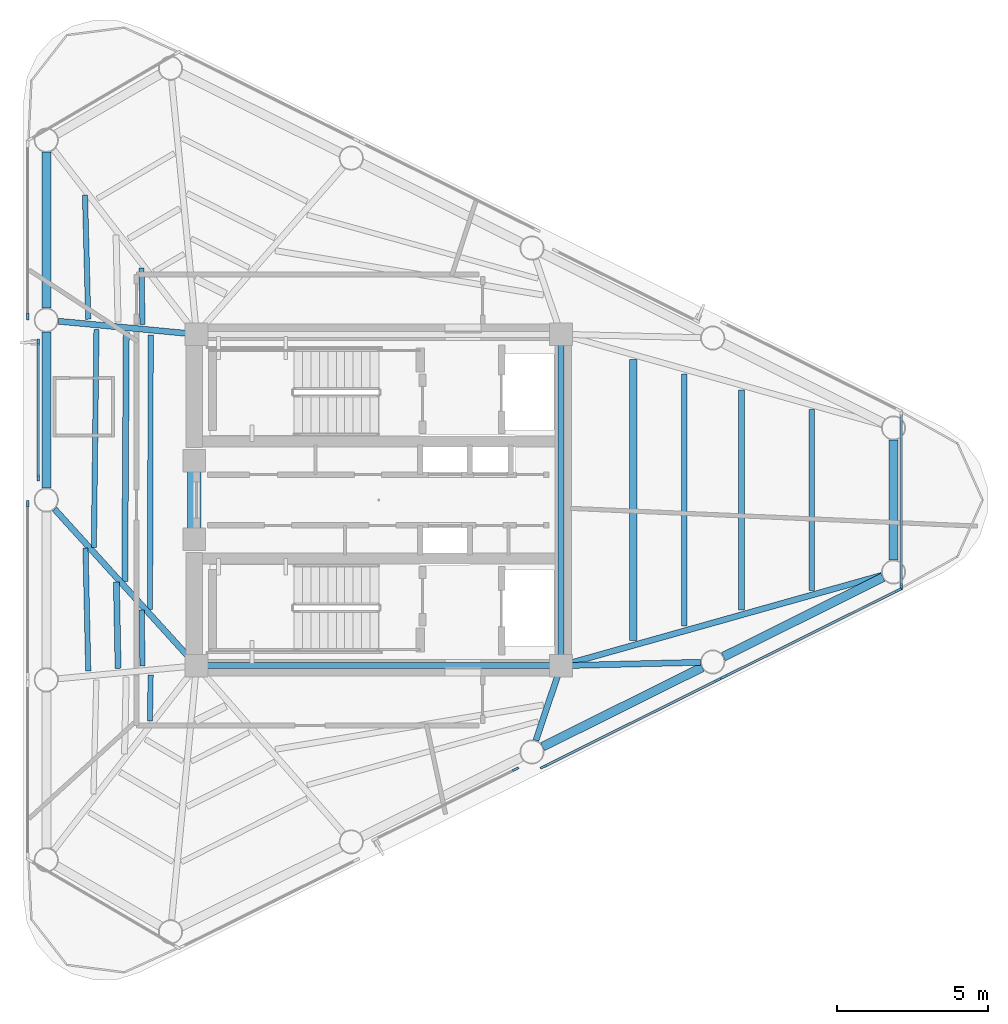
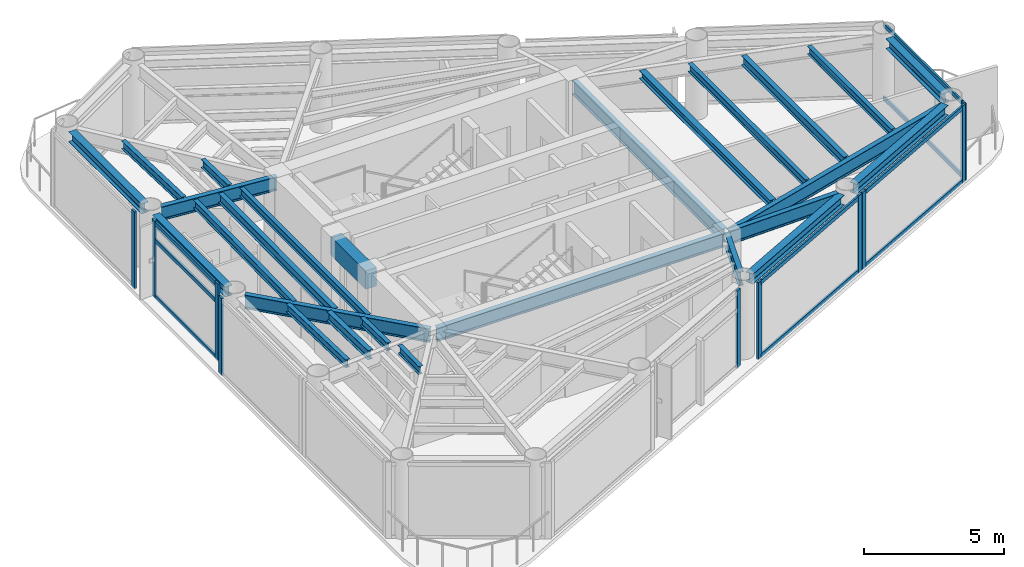
# One storey, part 2 of 10: 26 beams, 19 members, 7 elements without a shape of their own.
"""IFC4 building model written with IfcOpenShell, lengths in metres."""

from ifc_helpers import new_model, si_unit, direction, frame, origin, origin_2d, place, context, subcontext, project, spatial, rectangle, i_section, extrude, source, transform, mapped, material, layer, layer_set, material_profile, profile_set, type_object, element, aggregate, save


model = new_model("IFC4")

# Units and contexts
model_context = context("Model", 3, precision=1e-05, world=origin(), true_north=direction((0.0, 1.0)))
body_context = subcontext(model_context, "Body", "Model", "MODEL_VIEW")
ifc_project = project(units=[si_unit("LENGTHUNIT", "METRE"), si_unit("AREAUNIT", "SQUARE_METRE"), si_unit("VOLUMEUNIT", "CUBIC_METRE"), si_unit("PLANEANGLEUNIT", "RADIAN"), si_unit("MASSUNIT", "GRAM", prefix="KILO")], contexts=[model_context])

# Site, building, storey
site_placement = place(None, origin())
site = spatial("IfcSite", under=ifc_project, at=site_placement, CompositionType="ELEMENT")
building_placement = place(site_placement, origin())
building = spatial("IfcBuilding", under=site, at=building_placement, Name="Yunling Apex Tower", CompositionType="ELEMENT")
storey_placement = place(building_placement, frame((0.0, 0.0, 296.75)))
storey = spatial("IfcBuildingStorey", under=building, at=storey_placement, Name="L72", CompositionType="ELEMENT", Elevation=296.75)

# Beams
ifc_material_1 = material(Name="Concrete C40", Category="concrete")
ifc_material_profile_1 = material_profile(ifc_material_1, rectangle(XDim=0.449951171875, YDim=0.800048828125, at=origin_2d()))
ifc_profile_set_1 = profile_set([ifc_material_profile_1], Name="Concrete C40")
beam_type_1 = type_object("IfcBeamType", Name="BC-CPL-3", PredefinedType="BEAM", material=ifc_profile_set_1)
shared_shape_1 = source(origin(), body_context, "Body", "SweptSolid", [
    extrude(rectangle(XDim=0.449951171875, YDim=0.800048828125, at=origin_2d()), origin(), (0.0, 0.0, 1.0), 2.5),
])
beam_1_placement = place(storey_placement, frame((-6.125, -1.25, 2.8701171875), z_axis=(0.0, 1.0, 0.0), x_axis=(-1.0, 0.0, 0.0)))
element("IfcBeam", 1, at=beam_1_placement, inside=storey, type_object=beam_type_1, Name="L72 Core West Portal Coupling Beam", PredefinedType="BEAM", context=body_context, shape_type="MappedRepresentation", body=[
    mapped(shared_shape_1, transform((0.0, 0.0, 0.0), scale=1.0)),
])
ifc_material_2 = material(Name="Steel Q355B", Category="steel")
ifc_material_profile_2 = material_profile(ifc_material_2, i_section(OverallWidth=0.199951171875, OverallDepth=0.60009765625, WebThickness=0.010986328125, FlangeThickness=0.01708984375, FilletRadius=0.02197265625, at=origin_2d()))
ifc_profile_set_2 = profile_set([ifc_material_profile_2], Name="Steel Q355B")
beam_type_2 = type_object("IfcBeamType", Name="BG-PRI-5", PredefinedType="USERDEFINED", material=ifc_profile_set_2)
shared_shape_2 = source(origin(), body_context, "Body", "SweptSolid", [
    extrude(i_section(OverallWidth=0.199951171875, OverallDepth=0.60009765625, WebThickness=0.010986328125, FlangeThickness=0.01708984375, FilletRadius=0.02197265625, at=origin_2d()), origin(), (0.0, 0.0, 1.0), 11.7998046875),
])
beam_2_placement = place(storey_placement, frame((-5.89990234375, -5.5, 2.969970703125), z_axis=(1.0, 0.0, 0.0), x_axis=(0.0, 1.0, 0.0)))
element("IfcBeam", 2, at=beam_2_placement, inside=storey, type_object=beam_type_2, Name="L72 Core Ring Tie Beam 1", ObjectType="GIRDER", PredefinedType="USERDEFINED", context=body_context, shape_type="MappedRepresentation", body=[
    mapped(shared_shape_2, transform((0.0, 0.0, 0.0), scale=1.0)),
])
shared_shape_3 = source(origin(), body_context, "Body", "SweptSolid", [
    extrude(i_section(OverallWidth=0.199951171875, OverallDepth=0.60009765625, WebThickness=0.010986328125, FlangeThickness=0.01708984375, FilletRadius=0.02197265625, at=origin_2d()), origin(), (0.0, 0.0, 1.0), 10.7001953125),
])
beam_3_placement = place(storey_placement, frame((6.050048828125, -5.35009765625, 2.969970703125), z_axis=(0.0, 1.0, 0.0), x_axis=(-1.0, 0.0, 0.0)))
element("IfcBeam", 3, at=beam_3_placement, inside=storey, type_object=beam_type_2, Name="L72 Core Ring Tie Beam 2", ObjectType="GIRDER", PredefinedType="USERDEFINED", context=body_context, shape_type="MappedRepresentation", body=[
    mapped(shared_shape_3, transform((0.0, 0.0, 0.0), scale=1.0)),
])
ifc_material_profile_3 = material_profile(ifc_material_2, i_section(OverallWidth=0.300048828125, OverallDepth=0.43994140625, WebThickness=0.010986328125, FlangeThickness=0.01806640625, FilletRadius=0.02197265625, at=origin_2d()))
ifc_profile_set_3 = profile_set([ifc_material_profile_3], Name="Steel Q355B")
beam_type_3 = type_object("IfcBeamType", Name="BP-SPN-3", PredefinedType="SPANDREL", material=ifc_profile_set_3)
shared_shape_4 = source(origin(), body_context, "Body", "SweptSolid", [
    extrude(i_section(OverallWidth=0.300048828125, OverallDepth=0.43994140625, WebThickness=0.010986328125, FlangeThickness=0.01806640625, FilletRadius=0.02197265625, at=origin_2d()), origin(), (0.0, 0.0, 1.0), 5.9140625),
])
for number, where, z_axis, x_axis, name in (
    (4, (5.43896484375, -8.1884765625, 3.050048828125), (0.895259510924, 0.445545068539, 0.0), (-0.445545068539, 0.895259510924, 0.0), "L72 Perimeter Spandrel Beam 3"),
    (5, (11.439208984375, -5.2021484375, 3.050048828125), (0.895259510924, 0.445545068539, 0.0), (-0.445545068539, 0.895259510924, 0.0), "L72 Perimeter Spandrel Beam 4"),
):
    element("IfcBeam", number, at=place(storey_placement, frame(where, z_axis=z_axis, x_axis=x_axis)), inside=storey, type_object=beam_type_3, Name=name, PredefinedType="SPANDREL", context=body_context, shape_type="MappedRepresentation", body=[
        mapped(shared_shape_4, transform((0.0, 0.0, 0.0), scale=1.0)),
    ])
shared_shape_5 = source(origin(), body_context, "Body", "SweptSolid", [
    extrude(i_section(OverallWidth=0.300048828125, OverallDepth=0.43994140625, WebThickness=0.010986328125, FlangeThickness=0.01806640625, FilletRadius=0.02197265625, at=origin_2d()), origin(), (0.0, 0.0, 1.0), 3.9951171875),
])
beam_4_placement = place(storey_placement, frame((17.086669921875, -1.99755859375, 3.050048828125), z_axis=(0.0, 1.0, 0.0), x_axis=(-1.0, 0.0, 0.0)))
element("IfcBeam", 6, at=beam_4_placement, inside=storey, type_object=beam_type_3, Name="L72 Perimeter Spandrel Beam 5", PredefinedType="SPANDREL", context=body_context, shape_type="MappedRepresentation", body=[
    mapped(shared_shape_5, transform((0.0, 0.0, 0.0), scale=1.0)),
])
shared_shape_6 = source(origin(), body_context, "Body", "SweptSolid", [
    extrude(i_section(OverallWidth=0.300048828125, OverallDepth=0.43994140625, WebThickness=0.010986328125, FlangeThickness=0.01806640625, FilletRadius=0.02197265625, at=origin_2d()), origin(), (0.0, 0.0, 1.0), 5.1845703125),
])
for number, where, z_axis, x_axis, name in (
    (7, (-11.037353515625, 11.55126953125, 3.050048828125), (0.0, -1.0, 0.0), (1.0, 0.0, 0.0), "L72 Perimeter Spandrel Beam 11"),
    (8, (-11.037353515625, 5.57861328125, 3.050048828125), (0.0, -1.0, 0.0), (1.0, 0.0, 0.0), "L72 Perimeter Spandrel Beam 12"),
):
    element("IfcBeam", number, at=place(storey_placement, frame(where, z_axis=z_axis, x_axis=x_axis)), inside=storey, type_object=beam_type_3, Name=name, PredefinedType="SPANDREL", context=body_context, shape_type="MappedRepresentation", body=[
        mapped(shared_shape_6, transform((0.0, 0.0, 0.0), scale=1.0)),
    ])
shared_shape_7 = source(origin(), body_context, "Body", "SweptSolid", [
    extrude(i_section(OverallWidth=0.199951171875, OverallDepth=0.60009765625, WebThickness=0.010986328125, FlangeThickness=0.01708984375, FilletRadius=0.02197265625, at=origin_2d()), origin(), (0.0, 0.0, 1.0), 2.533935546875),
])
beam_5_placement = place(storey_placement, frame((5.21630859375, -7.977294921875, 2.969970703125), z_axis=(0.318914628896, 0.947783445454, 0.0), x_axis=(-0.947783445454, 0.318914628896, 0.0)))
element("IfcBeam", 9, at=beam_5_placement, inside=storey, type_object=beam_type_2, Name="L72 Radial Primary Girder R03", ObjectType="GIRDER", PredefinedType="USERDEFINED", context=body_context, shape_type="MappedRepresentation", body=[
    mapped(shared_shape_7, transform((0.0, 0.0, 0.0), scale=1.0)),
])
shared_shape_8 = source(origin(), body_context, "Body", "SweptSolid", [
    extrude(i_section(OverallWidth=0.199951171875, OverallDepth=0.60009765625, WebThickness=0.010986328125, FlangeThickness=0.01708984375, FilletRadius=0.02197265625, at=origin_2d()), origin(), (0.0, 0.0, 1.0), 4.5498046875),
])
beam_6_placement = place(storey_placement, frame((10.678466796875, -5.3876953125, 2.969970703125), z_axis=(-0.999705840498, -0.024253504369, 0.0), x_axis=(0.024253504369, -0.999705840498, 0.0)))
element("IfcBeam", 10, at=beam_6_placement, inside=storey, type_object=beam_type_2, Name="L72 Radial Primary Girder R04", ObjectType="GIRDER", PredefinedType="USERDEFINED", context=body_context, shape_type="MappedRepresentation", body=[
    mapped(shared_shape_8, transform((0.0, 0.0, 0.0), scale=1.0)),
])
shared_shape_9 = source(origin(), body_context, "Body", "SweptSolid", [
    extrude(i_section(OverallWidth=0.199951171875, OverallDepth=0.60009765625, WebThickness=0.010986328125, FlangeThickness=0.01708984375, FilletRadius=0.02197265625, at=origin_2d()), origin(), (0.0, 0.0, 1.0), 10.97802734375),
])
beam_7_placement = place(storey_placement, frame((16.69384765625, -2.502197265625, 2.969970703125), z_axis=(-0.962552702816, -0.271094622414, 0.0), x_axis=(0.271094622414, -0.962552702816, 0.0)))
element("IfcBeam", 11, at=beam_7_placement, inside=storey, type_object=beam_type_2, Name="L72 Radial Primary Girder R05", ObjectType="GIRDER", PredefinedType="USERDEFINED", context=body_context, shape_type="MappedRepresentation", body=[
    mapped(shared_shape_9, transform((0.0, 0.0, 0.0), scale=1.0)),
])
shared_shape_10 = source(origin(), body_context, "Body", "SweptSolid", [
    extrude(i_section(OverallWidth=0.199951171875, OverallDepth=0.60009765625, WebThickness=0.010986328125, FlangeThickness=0.01708984375, FilletRadius=0.02197265625, at=origin_2d()), origin(), (0.0, 0.0, 1.0), 4.521728515625),
])
beam_8_placement = place(storey_placement, frame((-10.631103515625, 5.93408203125, 2.969970703125), z_axis=(0.99554122067, -0.094327503661, 0.0), x_axis=(0.094327503661, 0.99554122067, 0.0)))
element("IfcBeam", 12, at=beam_8_placement, inside=storey, type_object=beam_type_2, Name="L72 Radial Primary Girder R12", ObjectType="GIRDER", PredefinedType="USERDEFINED", context=body_context, shape_type="MappedRepresentation", body=[
    mapped(shared_shape_10, transform((0.0, 0.0, 0.0), scale=1.0)),
])
shared_shape_11 = source(origin(), body_context, "Body", "SweptSolid", [
    extrude(i_section(OverallWidth=0.199951171875, OverallDepth=0.60009765625, WebThickness=0.010986328125, FlangeThickness=0.01708984375, FilletRadius=0.02197265625, at=origin_2d()), origin(), (0.0, 0.0, 1.0), 6.9365234375),
])
beam_9_placement = place(storey_placement, frame((-10.76318359375, -0.30224609375, 2.969970703125), z_axis=(0.671734994532, -0.740791534185, 0.0), x_axis=(0.740791534185, 0.671734994532, 0.0)))
element("IfcBeam", 13, at=beam_9_placement, inside=storey, type_object=beam_type_2, Name="L72 Radial Primary Girder R13", ObjectType="GIRDER", PredefinedType="USERDEFINED", context=body_context, shape_type="MappedRepresentation", body=[
    mapped(shared_shape_11, transform((0.0, 0.0, 0.0), scale=1.0)),
])
ifc_material_profile_4 = material_profile(ifc_material_2, i_section(OverallWidth=0.199951171875, OverallDepth=0.39990234375, WebThickness=0.008056640625, FlangeThickness=0.012939453125, FilletRadius=0.01611328125, at=origin_2d()))
ifc_profile_set_4 = profile_set([ifc_material_profile_4], Name="Steel Q355B")
beam_type_4 = type_object("IfcBeamType", Name="BS-SEC-4", PredefinedType="BEAM", material=ifc_profile_set_4)
shared_shape_12 = source(origin(), body_context, "Body", "SweptSolid", [
    extrude(i_section(OverallWidth=0.199951171875, OverallDepth=0.39990234375, WebThickness=0.008056640625, FlangeThickness=0.012939453125, FilletRadius=0.01611328125, at=origin_2d()), origin(), (0.0, 0.0, 1.0), 7.30322265625),
])
beam_10_placement = place(storey_placement, frame((12.04443359375, -3.651611328125, 3.070068359375), z_axis=(0.0, 1.0, 0.0), x_axis=(-1.0, 0.0, 0.0)))
element("IfcBeam", 14, at=beam_10_placement, inside=storey, type_object=beam_type_4, Name="L72 Composite Floor Beam BS-5", PredefinedType="BEAM", context=body_context, shape_type="MappedRepresentation", body=[
    mapped(shared_shape_12, transform((0.0, 0.0, 0.0), scale=1.0)),
])
ifc_material_profile_5 = material_profile(ifc_material_2, i_section(OverallWidth=0.175048828125, OverallDepth=0.35009765625, WebThickness=0.007080078125, FlangeThickness=0.010986328125, FilletRadius=0.013916015625, at=origin_2d()))
ifc_profile_set_5 = profile_set([ifc_material_profile_5], Name="Steel Q355B")
beam_type_5 = type_object("IfcBeamType", Name="BJ-JST-1", PredefinedType="JOIST", material=ifc_profile_set_5)
shared_shape_13 = source(origin(), body_context, "Body", "SweptSolid", [
    extrude(i_section(OverallWidth=0.175048828125, OverallDepth=0.35009765625, WebThickness=0.007080078125, FlangeThickness=0.010986328125, FilletRadius=0.013916015625, at=origin_2d()), origin(), (0.0, 0.0, 1.0), 5.99365234375),
])
beam_11_placement = place(storey_placement, frame((14.369140625, -2.996826171875, 3.094970703125), z_axis=(0.0, 1.0, 0.0), x_axis=(-1.0, 0.0, 0.0)))
element("IfcBeam", 15, at=beam_11_placement, inside=storey, type_object=beam_type_5, Name="L72 Composite Floor Joist BJ1-5", PredefinedType="JOIST", context=body_context, shape_type="MappedRepresentation", body=[
    mapped(shared_shape_13, transform((0.0, 0.0, 0.0), scale=1.0)),
])
shared_shape_14 = source(origin(), body_context, "Body", "SweptSolid", [
    extrude(i_section(OverallWidth=0.175048828125, OverallDepth=0.35009765625, WebThickness=0.007080078125, FlangeThickness=0.010986328125, FilletRadius=0.013916015625, at=origin_2d()), origin(), (0.0, 0.0, 1.0), 8.37451171875),
])
beam_12_placement = place(storey_placement, frame((10.142333984375, -4.187255859375, 3.094970703125), z_axis=(0.0, 1.0, 0.0), x_axis=(-1.0, 0.0, 0.0)))
element("IfcBeam", 16, at=beam_12_placement, inside=storey, type_object=beam_type_5, Name="L72 Composite Floor Joist BJ3-5", PredefinedType="JOIST", context=body_context, shape_type="MappedRepresentation", body=[
    mapped(shared_shape_14, transform((0.0, 0.0, 0.0), scale=1.0)),
])
ifc_material_profile_6 = material_profile(ifc_material_2, i_section(OverallWidth=0.25, OverallDepth=0.340087890625, WebThickness=0.009033203125, FlangeThickness=0.013916015625, FilletRadius=0.01806640625, at=origin_2d()))
ifc_profile_set_6 = profile_set([ifc_material_profile_6], Name="Steel Q355B")
beam_type_6 = type_object("IfcBeamType", Name="BJ-JST-2", PredefinedType="JOIST", material=ifc_profile_set_6)
shared_shape_15 = source(origin(), body_context, "Body", "SweptSolid", [
    extrude(i_section(OverallWidth=0.25, OverallDepth=0.340087890625, WebThickness=0.009033203125, FlangeThickness=0.013916015625, FilletRadius=0.01806640625, at=origin_2d()), origin(), (0.0, 0.0, 1.0), 9.3271484375),
])
beam_13_placement = place(storey_placement, frame((8.45166015625, -4.66357421875, 3.10009765625), z_axis=(0.0, 1.0, 0.0), x_axis=(-1.0, 0.0, 0.0)))
element("IfcBeam", 17, at=beam_13_placement, inside=storey, type_object=beam_type_6, Name="L72 Composite Floor Joist BJ2-5", PredefinedType="JOIST", context=body_context, shape_type="MappedRepresentation", body=[
    mapped(shared_shape_15, transform((0.0, 0.0, 0.0), scale=1.0)),
])
shared_shape_16 = source(origin(), body_context, "Body", "SweptSolid", [
    extrude(i_section(OverallWidth=0.175048828125, OverallDepth=0.35009765625, WebThickness=0.007080078125, FlangeThickness=0.010986328125, FilletRadius=0.013916015625, at=origin_2d()), origin(), (0.0, 0.0, 1.0), 4.130859375),
])
beam_14_placement = place(storey_placement, frame((-9.751953125, 10.129638671875, 3.094970703125), z_axis=(0.025887029391, -0.9996648747, 0.0), x_axis=(0.9996648747, 0.025887029391, 0.0)))
element("IfcBeam", 18, at=beam_14_placement, inside=storey, type_object=beam_type_5, Name="L72 Composite Floor Joist BJ1-11", PredefinedType="JOIST", context=body_context, shape_type="MappedRepresentation", body=[
    mapped(shared_shape_16, transform((0.0, 0.0, 0.0), scale=1.0)),
])
shared_shape_17 = source(origin(), body_context, "Body", "SweptSolid", [
    extrude(i_section(OverallWidth=0.175048828125, OverallDepth=0.35009765625, WebThickness=0.007080078125, FlangeThickness=0.010986328125, FilletRadius=0.013916015625, at=origin_2d()), origin(), (0.0, 0.0, 1.0), 1.87646484375),
])
beam_15_placement = place(storey_placement, frame((-7.877685546875, 7.705810546875, 3.094970703125), z_axis=(0.01847440018, -0.999829333705, 0.0), x_axis=(0.999829333705, 0.01847440018, 0.0)))
element("IfcBeam", 19, at=beam_15_placement, inside=storey, type_object=beam_type_5, Name="L72 Composite Floor Joist BJ3-11", PredefinedType="JOIST", context=body_context, shape_type="MappedRepresentation", body=[
    mapped(shared_shape_17, transform((0.0, 0.0, 0.0), scale=1.0)),
])
shared_shape_18 = source(origin(), body_context, "Body", "SweptSolid", [
    extrude(i_section(OverallWidth=0.199951171875, OverallDepth=0.39990234375, WebThickness=0.008056640625, FlangeThickness=0.012939453125, FilletRadius=0.01611328125, at=origin_2d()), origin(), (0.0, 0.0, 1.0), 8.2724609375),
])
beam_16_placement = place(storey_placement, frame((-8.38134765625, 5.560791015625, 3.070068359375), z_axis=(-0.006197679272, -0.999980794201, 0.0), x_axis=(0.999980794201, -0.006197679272, 0.0)))
element("IfcBeam", 20, at=beam_16_placement, inside=storey, type_object=beam_type_4, Name="L72 Composite Floor Beam BS-12", PredefinedType="BEAM", context=body_context, shape_type="MappedRepresentation", body=[
    mapped(shared_shape_18, transform((0.0, 0.0, 0.0), scale=1.0)),
])
shared_shape_19 = source(origin(), body_context, "Body", "SweptSolid", [
    extrude(i_section(OverallWidth=0.175048828125, OverallDepth=0.35009765625, WebThickness=0.007080078125, FlangeThickness=0.010986328125, FilletRadius=0.013916015625, at=origin_2d()), origin(), (0.0, 0.0, 1.0), 7.236328125),
])
beam_17_placement = place(storey_placement, frame((-9.37255859375, 5.65478515625, 3.094970703125), z_axis=(-0.011639673006, -0.999932256712, 0.0), x_axis=(0.999932256712, -0.011639673006, 0.0)))
element("IfcBeam", 21, at=beam_17_placement, inside=storey, type_object=beam_type_5, Name="L72 Composite Floor Joist BJ1-12", PredefinedType="JOIST", context=body_context, shape_type="MappedRepresentation", body=[
    mapped(shared_shape_19, transform((0.0, 0.0, 0.0), scale=1.0)),
])
shared_shape_20 = source(origin(), body_context, "Body", "SweptSolid", [
    extrude(i_section(OverallWidth=0.175048828125, OverallDepth=0.35009765625, WebThickness=0.007080078125, FlangeThickness=0.010986328125, FilletRadius=0.013916015625, at=origin_2d()), origin(), (0.0, 0.0, 1.0), 9.120361328125),
])
beam_18_placement = place(storey_placement, frame((-7.570556640625, 5.48388671875, 3.094970703125), z_axis=(-0.002596559494, -0.999996628934, 0.0), x_axis=(0.999996628934, -0.002596559494, 0.0)))
element("IfcBeam", 22, at=beam_18_placement, inside=storey, type_object=beam_type_5, Name="L72 Composite Floor Joist BJ3-12", PredefinedType="JOIST", context=body_context, shape_type="MappedRepresentation", body=[
    mapped(shared_shape_20, transform((0.0, 0.0, 0.0), scale=1.0)),
])
shared_shape_21 = source(origin(), body_context, "Body", "SweptSolid", [
    extrude(i_section(OverallWidth=0.199951171875, OverallDepth=0.39990234375, WebThickness=0.008056640625, FlangeThickness=0.012939453125, FilletRadius=0.01611328125, at=origin_2d()), origin(), (0.0, 0.0, 1.0), 2.86376953125),
])
beam_19_placement = place(storey_placement, frame((-8.7099609375, -2.72314453125, 3.070068359375), z_axis=(0.019692633422, -0.999806081292, 0.0), x_axis=(0.999806081292, 0.019692633422, 0.0)))
element("IfcBeam", 23, at=beam_19_placement, inside=storey, type_object=beam_type_4, Name="L72 Composite Floor Beam BS-13", PredefinedType="BEAM", context=body_context, shape_type="MappedRepresentation", body=[
    mapped(shared_shape_21, transform((0.0, 0.0, 0.0), scale=1.0)),
])
shared_shape_22 = source(origin(), body_context, "Body", "SweptSolid", [
    extrude(i_section(OverallWidth=0.175048828125, OverallDepth=0.35009765625, WebThickness=0.007080078125, FlangeThickness=0.010986328125, FilletRadius=0.013916015625, at=origin_2d()), origin(), (0.0, 0.0, 1.0), 4.0888671875),
])
beam_20_placement = place(storey_placement, frame((-9.734619140625, -1.592529296875, 3.094970703125), z_axis=(0.022092074649, -0.999755940336, 0.0), x_axis=(0.999755940336, 0.022092074649, 0.0)))
element("IfcBeam", 24, at=beam_20_placement, inside=storey, type_object=beam_type_5, Name="L72 Composite Floor Joist BJ1-13", PredefinedType="JOIST", context=body_context, shape_type="MappedRepresentation", body=[
    mapped(shared_shape_22, transform((0.0, 0.0, 0.0), scale=1.0)),
])
shared_shape_23 = source(origin(), body_context, "Body", "SweptSolid", [
    extrude(i_section(OverallWidth=0.175048828125, OverallDepth=0.35009765625, WebThickness=0.007080078125, FlangeThickness=0.010986328125, FilletRadius=0.013916015625, at=origin_2d()), origin(), (0.0, 0.0, 1.0), 1.861572265625),
])
beam_21_placement = place(storey_placement, frame((-7.871826171875, -3.648193359375, 3.094970703125), z_axis=(0.015606703404, -0.999878207988, 0.0), x_axis=(0.999878207988, 0.015606703404, 0.0)))
element("IfcBeam", 25, at=beam_21_placement, inside=storey, type_object=beam_type_5, Name="L72 Composite Floor Joist BJ3-13", PredefinedType="JOIST", context=body_context, shape_type="MappedRepresentation", body=[
    mapped(shared_shape_23, transform((0.0, 0.0, 0.0), scale=1.0)),
])
shared_shape_24 = source(origin(), body_context, "Body", "SweptSolid", [
    extrude(i_section(OverallWidth=0.175048828125, OverallDepth=0.35009765625, WebThickness=0.007080078125, FlangeThickness=0.010986328125, FilletRadius=0.013916015625, at=origin_2d()), origin(), (0.0, 0.0, 1.0), 1.53857421875),
])
beam_22_placement = place(storey_placement, frame((-7.572509765625, -5.803955078125, 3.094970703125), z_axis=(-0.015709852828, -0.999876592647, 0.0), x_axis=(0.999876592647, -0.015709852828, 0.0)))
element("IfcBeam", 26, at=beam_22_placement, inside=storey, type_object=beam_type_5, Name="L72 Composite Floor Joist BJ3-14", PredefinedType="JOIST", context=body_context, shape_type="MappedRepresentation", body=[
    mapped(shared_shape_24, transform((0.0, 0.0, 0.0), scale=1.0)),
])

# Curtain wall, members
ifc_material_3 = material(Name="Bronze anodised aluminium", Category="aluminium")
ifc_layer = layer(ifc_material_3, 0.219970703125)
ifc_layer_set = layer_set([ifc_layer], Name="Bronze anodised aluminium")
curtain_wall_type = type_object("IfcCurtainWallType", Name="CW-SYS-4", PredefinedType="NOTDEFINED", material=ifc_layer_set)
curtain_wall_1_placement = place(storey_placement, origin())
curtain_wall_1 = element("IfcCurtainWall", 27, at=curtain_wall_1_placement, inside=storey, type_object=curtain_wall_type, Name="CW-L72-F1-B3", PredefinedType="NOTDEFINED")
ifc_material_profile_7 = material_profile(ifc_material_3, rectangle(XDim=0.080078125, YDim=0.169921875, at=origin_2d()))
ifc_profile_set_7 = profile_set([ifc_material_profile_7], Name="Bronze anodised aluminium")
member_type_1 = type_object("IfcMemberType", Name="CW-TRN-4", PredefinedType="USERDEFINED", material=ifc_profile_set_7)
shared_shape_25 = source(origin(), body_context, "Body", "SweptSolid", [
    extrude(rectangle(XDim=0.080078125, YDim=0.169921875, at=origin_2d()), origin(), (0.0, 0.0, 1.0), 6.39013671875),
])
member_1_placement = place(storey_placement, frame((5.497802734375, -8.8408203125, 0.0400390625), z_axis=(0.895235684646, 0.445592940851, 0.0), x_axis=(-0.445592940851, 0.895235684646, 0.0)))
member_1 = element("IfcMember", 28, at=member_1_placement, type_object=member_type_1, Name="CW-SYS-4 transom 1.1", ObjectType="TRANSOM", PredefinedType="USERDEFINED", context=body_context, shape_type="MappedRepresentation", body=[
    mapped(shared_shape_25, transform((0.0, 0.0, 0.0), scale=1.0)),
])
member_2_placement = place(storey_placement, frame((5.497802734375, -8.8408203125, 3.22998046875), z_axis=(0.895235684646, 0.445592940851, 0.0), x_axis=(-0.445592940851, 0.895235684646, 0.0)))
member_2 = element("IfcMember", 29, at=member_2_placement, type_object=member_type_1, Name="CW-SYS-4 transom 1.2", ObjectType="TRANSOM", PredefinedType="USERDEFINED", context=body_context, shape_type="MappedRepresentation", body=[
    mapped(shared_shape_25, transform((0.0, 0.0, 0.0), scale=1.0)),
])

curtain_wall_2_placement = place(storey_placement, origin())
curtain_wall_2 = element("IfcCurtainWall", 30, at=curtain_wall_2_placement, inside=storey, type_object=curtain_wall_type, Name="CW-L72-F1-B4", PredefinedType="NOTDEFINED")
shared_shape_26 = source(origin(), body_context, "Body", "SweptSolid", [
    extrude(rectangle(XDim=0.080078125, YDim=0.169921875, at=origin_2d()), origin(), (0.0, 0.0, 1.0), 6.390380859375),
])
member_3_placement = place(storey_placement, frame((11.497802734375, -5.854248046875, 0.0400390625), z_axis=(0.895258509594, 0.445547080565, 0.0), x_axis=(-0.445547080565, 0.895258509594, 0.0)))
member_3 = element("IfcMember", 31, at=member_3_placement, type_object=member_type_1, Name="CW-SYS-4 transom 1.1", ObjectType="TRANSOM", PredefinedType="USERDEFINED", context=body_context, shape_type="MappedRepresentation", body=[
    mapped(shared_shape_26, transform((0.0, 0.0, 0.0), scale=1.0)),
])
member_4_placement = place(storey_placement, frame((11.497802734375, -5.854248046875, 3.22998046875), z_axis=(0.895258509594, 0.445547080565, 0.0), x_axis=(-0.445547080565, 0.895258509594, 0.0)))
member_4 = element("IfcMember", 32, at=member_4_placement, type_object=member_type_1, Name="CW-SYS-4 transom 1.2", ObjectType="TRANSOM", PredefinedType="USERDEFINED", context=body_context, shape_type="MappedRepresentation", body=[
    mapped(shared_shape_26, transform((0.0, 0.0, 0.0), scale=1.0)),
])

curtain_wall_3_placement = place(storey_placement, origin())
curtain_wall_3 = element("IfcCurtainWall", 33, at=curtain_wall_3_placement, inside=storey, type_object=curtain_wall_type, Name="CW-L72-CRN1", PredefinedType="NOTDEFINED")
shared_shape_27 = source(origin(), body_context, "Body", "SweptSolid", [
    extrude(rectangle(XDim=0.080078125, YDim=0.169921875, at=origin_2d()), origin(), (0.0, 0.0, 1.0), 5.6875),
])
member_5_placement = place(storey_placement, frame((17.349365234375, -2.84375, 0.0400390625), z_axis=(0.0, 1.0, 0.0), x_axis=(-1.0, 0.0, 0.0)))
member_5 = element("IfcMember", 34, at=member_5_placement, type_object=member_type_1, Name="CW-SYS-4 transom 1.1", ObjectType="TRANSOM", PredefinedType="USERDEFINED", context=body_context, shape_type="MappedRepresentation", body=[
    mapped(shared_shape_27, transform((0.0, 0.0, 0.0), scale=1.0)),
])
member_6_placement = place(storey_placement, frame((17.349365234375, -2.84375, 3.22998046875), z_axis=(0.0, 1.0, 0.0), x_axis=(-1.0, 0.0, 0.0)))
member_6 = element("IfcMember", 35, at=member_6_placement, type_object=member_type_1, Name="CW-SYS-4 transom 1.2", ObjectType="TRANSOM", PredefinedType="USERDEFINED", context=body_context, shape_type="MappedRepresentation", body=[
    mapped(shared_shape_27, transform((0.0, 0.0, 0.0), scale=1.0)),
])

curtain_wall_4_placement = place(storey_placement, origin())
curtain_wall_4 = element("IfcCurtainWall", 36, at=curtain_wall_4_placement, inside=storey, type_object=curtain_wall_type, Name="CW-L72-F3-B2", PredefinedType="NOTDEFINED")
shared_shape_28 = source(origin(), body_context, "Body", "SweptSolid", [
    extrude(rectangle(XDim=0.080078125, YDim=0.169921875, at=origin_2d()), origin(), (0.0, 0.0, 1.0), 4.420654296875),
])
member_7_placement = place(storey_placement, frame((-11.307373046875, 5.196533203125, 0.0400390625), z_axis=(0.0, -1.0, 0.0), x_axis=(1.0, 0.0, 0.0)))
member_7 = element("IfcMember", 37, at=member_7_placement, type_object=member_type_1, Name="CW-SYS-4 transom 1.1", ObjectType="TRANSOM", PredefinedType="USERDEFINED", context=body_context, shape_type="MappedRepresentation", body=[
    mapped(shared_shape_28, transform((0.0, 0.0, 0.0), scale=1.0)),
])
member_8_placement = place(storey_placement, frame((-11.307373046875, 5.196533203125, 2.485107421875), z_axis=(0.0, -1.0, 0.0), x_axis=(1.0, 0.0, 0.0)))
member_8 = element("IfcMember", 38, at=member_8_placement, type_object=member_type_1, Name="CW-SYS-4 transom 1.2", ObjectType="TRANSOM", PredefinedType="USERDEFINED", context=body_context, shape_type="MappedRepresentation", body=[
    mapped(shared_shape_28, transform((0.0, 0.0, 0.0), scale=1.0)),
])
member_9_placement = place(storey_placement, frame((-11.307373046875, 5.196533203125, 3.22998046875), z_axis=(0.0, -1.0, 0.0), x_axis=(1.0, 0.0, 0.0)))
member_9 = element("IfcMember", 39, at=member_9_placement, type_object=member_type_1, Name="CW-SYS-4 transom 1.3", ObjectType="TRANSOM", PredefinedType="USERDEFINED", context=body_context, shape_type="MappedRepresentation", body=[
    mapped(shared_shape_28, transform((0.0, 0.0, 0.0), scale=1.0)),
])

# Curtain wall, member
curtain_wall_5_placement = place(storey_placement, origin())
curtain_wall_5 = element("IfcCurtainWall", 40, at=curtain_wall_5_placement, inside=storey, type_object=curtain_wall_type, Name="CW-L72-F1-B2", PredefinedType="NOTDEFINED")
ifc_material_profile_8 = material_profile(ifc_material_3, rectangle(XDim=0.080078125, YDim=0.219970703125, at=origin_2d()))
ifc_profile_set_8 = profile_set([ifc_material_profile_8], Name="Bronze anodised aluminium")
member_type_2 = type_object("IfcMemberType", Name="CW-MUL-4", PredefinedType="MULLION", material=ifc_profile_set_8)
shared_shape_29 = source(origin(), body_context, "Body", "SweptSolid", [
    extrude(rectangle(XDim=0.080078125, YDim=0.219970703125, at=origin_2d()), origin(), (0.0, 0.0, 1.0), 3.3701171875),
])
member_10_placement = place(storey_placement, frame((4.544189453125, -8.935546875, -0.050048828125), z_axis=(0.0, 0.0, 1.0), x_axis=(-0.445560721723, 0.895251720611, 0.0)))
member_10 = element("IfcMember", 41, at=member_10_placement, type_object=member_type_2, Name="CW-SYS-4 mullion 2", PredefinedType="MULLION", context=body_context, shape_type="MappedRepresentation", body=[
    mapped(shared_shape_29, transform((0.0, 0.0, 0.0), scale=1.0)),
])
aggregate(curtain_wall_5, [member_10])

# Member
member_11_placement = place(storey_placement, frame((5.465576171875, -8.856689453125, -0.050048828125), z_axis=(0.0, 0.0, 1.0), x_axis=(-0.445580385698, 0.895241933715, 0.0)))
member_11 = element("IfcMember", 42, at=member_11_placement, type_object=member_type_2, Name="CW-SYS-4 mullion 1", PredefinedType="MULLION", context=body_context, shape_type="MappedRepresentation", body=[
    mapped(shared_shape_29, transform((0.0, 0.0, 0.0), scale=1.0)),
])

member_12_placement = place(storey_placement, frame((11.250732421875, -5.977294921875, -0.050048828125), z_axis=(0.0, 0.0, 1.0), x_axis=(-0.445580385698, 0.895241933715, 0.0)))
member_12 = element("IfcMember", 43, at=member_12_placement, type_object=member_type_2, Name="CW-SYS-4 mullion 2", PredefinedType="MULLION", context=body_context, shape_type="MappedRepresentation", body=[
    mapped(shared_shape_29, transform((0.0, 0.0, 0.0), scale=1.0)),
])

aggregate(curtain_wall_1, [member_11, member_12, member_1, member_2])

member_13_placement = place(storey_placement, frame((11.465576171875, -5.870361328125, -0.050048828125), z_axis=(0.0, 0.0, 1.0), x_axis=(-0.445568135078, 0.895248030996, 0.0)))
member_13 = element("IfcMember", 44, at=member_13_placement, type_object=member_type_2, Name="CW-SYS-4 mullion 1", PredefinedType="MULLION", context=body_context, shape_type="MappedRepresentation", body=[
    mapped(shared_shape_29, transform((0.0, 0.0, 0.0), scale=1.0)),
])

member_14_placement = place(storey_placement, frame((17.2509765625, -2.990966796875, -0.050048828125), z_axis=(0.0, 0.0, 1.0), x_axis=(-0.445568135078, 0.895248030996, 0.0)))
member_14 = element("IfcMember", 45, at=member_14_placement, type_object=member_type_2, Name="CW-SYS-4 mullion 2", PredefinedType="MULLION", context=body_context, shape_type="MappedRepresentation", body=[
    mapped(shared_shape_29, transform((0.0, 0.0, 0.0), scale=1.0)),
])

aggregate(curtain_wall_2, [member_13, member_14, member_3, member_4])

member_15_placement = place(storey_placement, frame((17.349365234375, -2.879638671875, -0.050048828125), z_axis=(0.0, 0.0, 1.0), x_axis=(-1.0, 0.0, 0.0)))
member_15 = element("IfcMember", 46, at=member_15_placement, type_object=member_type_2, Name="CW-SYS-4 mullion 1", PredefinedType="MULLION", context=body_context, shape_type="MappedRepresentation", body=[
    mapped(shared_shape_29, transform((0.0, 0.0, 0.0), scale=1.0)),
])

aggregate(curtain_wall_3, [member_15, member_5, member_6])

# Curtain wall, member
curtain_wall_6_placement = place(storey_placement, origin())
curtain_wall_6 = element("IfcCurtainWall", 47, at=curtain_wall_6_placement, inside=storey, type_object=curtain_wall_type, Name="CW-L72-F3-B1", PredefinedType="NOTDEFINED")
member_16_placement = place(storey_placement, frame((-11.647216796875, 6.092529296875, -0.050048828125), z_axis=(0.0, 0.0, 1.0), x_axis=(1.0, 0.0, 0.0)))
member_16 = element("IfcMember", 48, at=member_16_placement, type_object=member_type_2, Name="CW-SYS-4 mullion 2", PredefinedType="MULLION", context=body_context, shape_type="MappedRepresentation", body=[
    mapped(shared_shape_29, transform((0.0, 0.0, 0.0), scale=1.0)),
])
aggregate(curtain_wall_6, [member_16])

# Member
member_17_placement = place(storey_placement, frame((-11.307373046875, 5.232666015625, -0.050048828125), z_axis=(0.0, 0.0, 1.0), x_axis=(1.0, 0.0, 0.0)))
member_17 = element("IfcMember", 49, at=member_17_placement, type_object=member_type_2, Name="CW-SYS-4 mullion 1", PredefinedType="MULLION", context=body_context, shape_type="MappedRepresentation", body=[
    mapped(shared_shape_29, transform((0.0, 0.0, 0.0), scale=1.0)),
])

member_18_placement = place(storey_placement, frame((-11.307373046875, 0.739990234375, -0.050048828125), z_axis=(0.0, 0.0, 1.0), x_axis=(1.0, 0.0, 0.0)))
member_18 = element("IfcMember", 50, at=member_18_placement, type_object=member_type_2, Name="CW-SYS-4 mullion 2", PredefinedType="MULLION", context=body_context, shape_type="MappedRepresentation", body=[
    mapped(shared_shape_29, transform((0.0, 0.0, 0.0), scale=1.0)),
])

aggregate(curtain_wall_4, [member_17, member_18, member_7, member_8, member_9])

# Curtain wall, member
curtain_wall_7_placement = place(storey_placement, origin())
curtain_wall_7 = element("IfcCurtainWall", 51, at=curtain_wall_7_placement, inside=storey, type_object=curtain_wall_type, Name="CW-L72-F3-B3", PredefinedType="NOTDEFINED")
member_19_placement = place(storey_placement, frame((-11.647216796875, -0.1201171875, -0.050048828125), z_axis=(0.0, 0.0, 1.0), x_axis=(1.0, 0.0, 0.0)))
member_19 = element("IfcMember", 52, at=member_19_placement, type_object=member_type_2, Name="CW-SYS-4 mullion 1", PredefinedType="MULLION", context=body_context, shape_type="MappedRepresentation", body=[
    mapped(shared_shape_29, transform((0.0, 0.0, 0.0), scale=1.0)),
])
aggregate(curtain_wall_7, [member_19])

save(model, "model.ifc")
